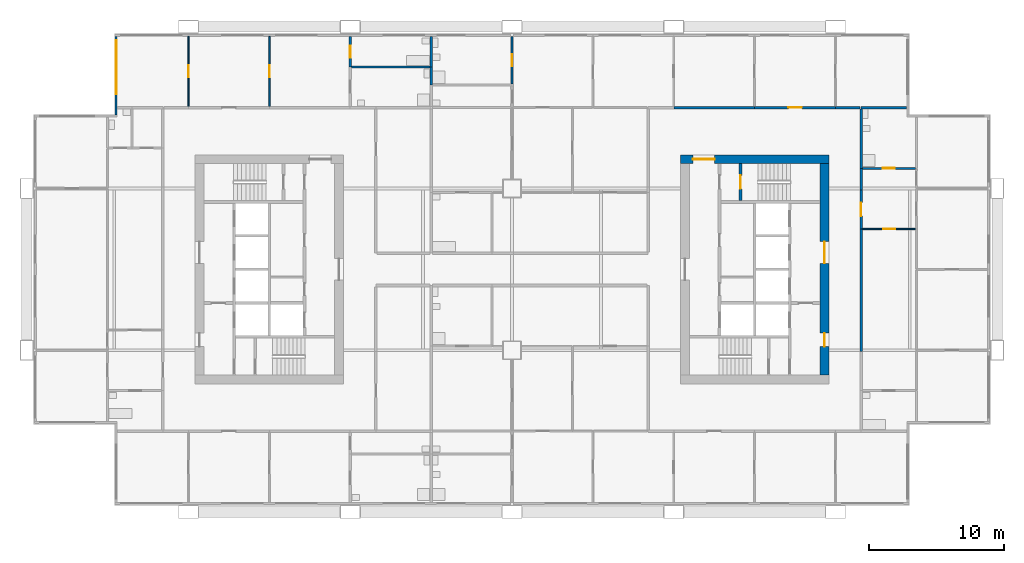
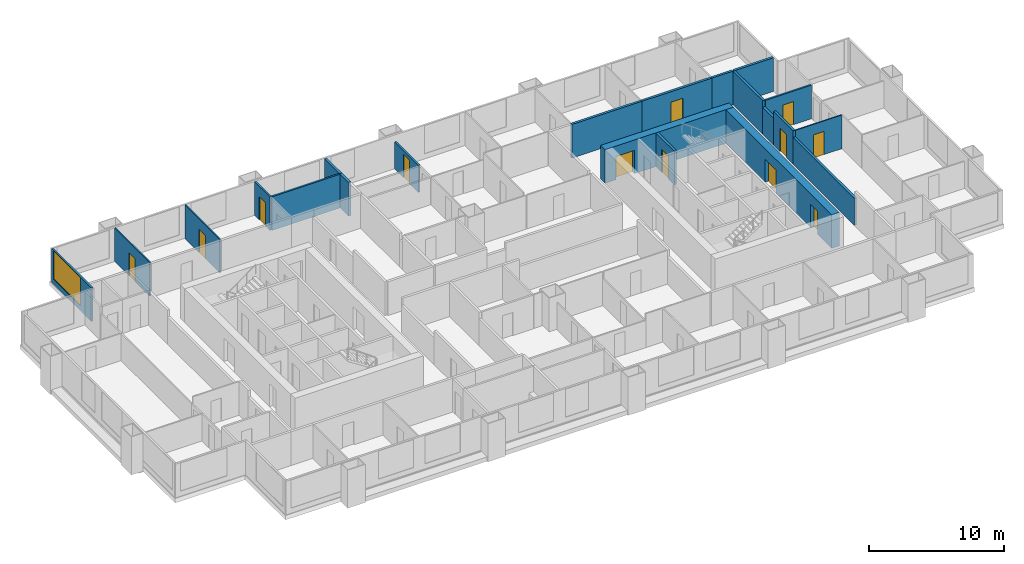
# One storey, part 7 of 11: 21 walls, 12 doors, 1 window, 13 openings.
"""IFC4 building model written with IfcOpenShell, lengths in metres."""

from ifc_helpers import new_model, si_unit, direction, frame, frame_2d, origin, place, context, subcontext, project, spatial, rectangle, extrude, material, layer, layer_set, type_object, element, fill, save


model = new_model("IFC4")

# Units and contexts
model_context = context("Model", 3, precision=1e-05, world=origin(), true_north=direction((0.0, 1.0)))
body_context = subcontext(model_context, "Body", "Model", "MODEL_VIEW")
ifc_project = project(units=[si_unit("LENGTHUNIT", "METRE"), si_unit("AREAUNIT", "SQUARE_METRE"), si_unit("VOLUMEUNIT", "CUBIC_METRE"), si_unit("PLANEANGLEUNIT", "RADIAN"), si_unit("MASSUNIT", "GRAM", prefix="KILO")], contexts=[model_context])

# Site, building, storey
site_placement = place(None, origin())
site = spatial("IfcSite", under=ifc_project, at=site_placement, CompositionType="ELEMENT")
building_placement = place(site_placement, origin())
building = spatial("IfcBuilding", under=site, at=building_placement, Name="Kitamizu Gate Tower and Museum", CompositionType="ELEMENT")
storey_placement = place(building_placement, frame((0.0, 0.0, 110.39990234375)))
storey = spatial("IfcBuildingStorey", under=building, at=storey_placement, Name="L28", CompositionType="ELEMENT", Elevation=110.39990234375)

# Wall, opening, door
ifc_material_1 = material(Name="Concrete Fc60", Category="concrete")
ifc_layer_1 = layer(ifc_material_1, 0.64990234375)
ifc_layer_set_1 = layer_set([ifc_layer_1], Name="Concrete Fc60")
wall_type_1 = type_object("IfcWallType", Name="Core wall 650", PredefinedType="SHEAR", material=ifc_layer_set_1)
wall_1_placement = place(storey_placement, frame((59.5, 38.175048828125, 0.0), z_axis=(0.0, 0.0, 1.0), x_axis=(-1.0, 0.0, 0.0)))
wall_1 = element("IfcWall", 1, at=wall_1_placement, inside=storey, type_object=wall_type_1, Name="Core wall EN", PredefinedType="SHEAR", context=body_context, shape_type="SweptSolid", body=[
    extrude(rectangle(XDim=11.0, YDim=0.64990234375, at=frame_2d((5.5, 0.0))), origin(), (0.0, 0.0, 1.0), 3.050048828125),
])
opening_1_placement = place(wall_1_placement, frame((8.47509765625, 0.0, 0.0)))
opening_1 = element("IfcOpeningElement", 2, at=opening_1_placement, cuts=wall_1, Name="Opening L28-071", PredefinedType="OPENING", context=body_context, shape_type="SweptSolid", body=[
    extrude(rectangle(XDim=1.60009765625, YDim=2.10009765625, at=frame_2d((0.800048828125, 1.050048828125))), frame((0.0, 0.3349609375, 0.0), z_axis=(0.0, -1.0, 0.0), x_axis=(1.0, 0.0, 0.0)), (0.0, 0.0, 1.0), 0.669921875),
])
ifc_material_2 = material(Name="Timber door set", Category="wood")
door_type_1 = type_object("IfcDoorType", Name="Entrance door 1600", OperationType="DOUBLE_DOOR_SINGLE_SWING", PredefinedType="DOOR", material=ifc_material_2)
door_1_placement = place(opening_1_placement, origin())
door_1 = element("IfcDoor", 3, at=door_1_placement, inside=storey, type_object=door_type_1, Name="Lobby door L28-071", OperationType="DOUBLE_DOOR_SINGLE_SWING", OverallHeight=2.10009765625, OverallWidth=1.60009765625, PredefinedType="DOOR", context=body_context, shape_type="SweptSolid", body=[
    extrude(rectangle(XDim=1.60009765625, YDim=2.10009765625, at=frame_2d((0.800048828125, 1.050048828125))), frame((0.0, 0.02490234375, 0.0), z_axis=(0.0, -1.0, 0.0), x_axis=(1.0, 0.0, 0.0)), (0.0, 0.0, 1.0), 0.050048828125),
])
fill(opening_1, door_1)

# Wall, openings, doors
wall_2_placement = place(storey_placement, frame((59.175048828125, 22.14990234375, 0.0), z_axis=(0.0, 0.0, 1.0), x_axis=(0.0, 1.0, 0.0)))
wall_2 = element("IfcWall", 4, at=wall_2_placement, inside=storey, type_object=wall_type_1, Name="Core wall EOUT", PredefinedType="SHEAR", context=body_context, shape_type="SweptSolid", body=[
    extrude(rectangle(XDim=15.7001953125, YDim=0.64990234375, at=frame_2d((7.85009765625, 0.0))), origin(), (0.0, 0.0, 1.0), 3.050048828125),
])
opening_2_placement = place(wall_2_placement, frame((8.300048828125, 0.0, 0.0)))
opening_2 = element("IfcOpeningElement", 5, at=opening_2_placement, cuts=wall_2, Name="Opening L28-069", PredefinedType="OPENING", context=body_context, shape_type="SweptSolid", body=[
    extrude(rectangle(XDim=1.60009765625, YDim=2.10009765625, at=frame_2d((0.800048828125, 1.050048828125))), frame((0.0, 0.3349609375, 0.0), z_axis=(0.0, -1.0, 0.0), x_axis=(1.0, 0.0, 0.0)), (0.0, 0.0, 1.0), 0.669921875),
])
opening_3_placement = place(wall_2_placement, frame((2.125, 0.0, 0.0)))
opening_3 = element("IfcOpeningElement", 6, at=opening_3_placement, cuts=wall_2, Name="Opening L28-070", PredefinedType="OPENING", context=body_context, shape_type="SweptSolid", body=[
    extrude(rectangle(XDim=1.0, YDim=2.10009765625, at=frame_2d((0.5, 1.050048828125))), frame((0.0, 0.3349609375, 0.0), z_axis=(0.0, -1.0, 0.0), x_axis=(1.0, 0.0, 0.0)), (0.0, 0.0, 1.0), 0.669921875),
])
door_2_placement = place(opening_2_placement, origin())
door_2 = element("IfcDoor", 7, at=door_2_placement, inside=storey, type_object=door_type_1, Name="Lobby door L28-069", OperationType="DOUBLE_DOOR_SINGLE_SWING", OverallHeight=2.10009765625, OverallWidth=1.60009765625, PredefinedType="DOOR", context=body_context, shape_type="SweptSolid", body=[
    extrude(rectangle(XDim=1.60009765625, YDim=2.10009765625, at=frame_2d((0.800048828125, 1.050048828125))), frame((0.0, 0.02490234375, 0.0), z_axis=(0.0, -1.0, 0.0), x_axis=(1.0, 0.0, 0.0)), (0.0, 0.0, 1.0), 0.050048828125),
])
fill(opening_2, door_2)
ifc_material_3 = material(Name="Hollow metal door set")
door_type_2 = type_object("IfcDoorType", Name="Fire door 1000", OperationType="NOTDEFINED", PredefinedType="DOOR", material=ifc_material_3)
door_3_placement = place(opening_3_placement, origin())
door_3 = element("IfcDoor", 8, at=door_3_placement, inside=storey, type_object=door_type_2, Name="Fire-fighting lobby door L28-070", OperationType="SINGLE_SWING_LEFT", OverallHeight=2.10009765625, OverallWidth=1.0, PredefinedType="DOOR", context=body_context, shape_type="SweptSolid", body=[
    extrude(rectangle(XDim=1.0, YDim=2.10009765625, at=frame_2d((0.5, 1.050048828125))), frame((0.0, 0.02490234375, 0.0), z_axis=(0.0, -1.0, 0.0), x_axis=(1.0, 0.0, 0.0)), (0.0, 0.0, 1.0), 0.050048828125),
])
fill(opening_3, door_3)

# Wall, opening, door
ifc_material_4 = material(Name="Gypsum board on galvanised stud")
ifc_layer_2 = layer(ifc_material_4, 0.10009765625)
ifc_layer_set_2 = layer_set([ifc_layer_2], Name="Gypsum board on galvanised stud")
wall_type_2 = type_object("IfcWallType", Name="Partition 100 NOT RATED", PredefinedType="PARTITIONING", material=ifc_layer_set_2)
wall_3_placement = place(storey_placement, frame((65.949951171875, 33.0, 0.0), z_axis=(0.0, 0.0, 1.0), x_axis=(-1.0, 0.0, 0.0)))
wall_3 = element("IfcWall", 9, at=wall_3_placement, inside=storey, type_object=wall_type_2, Name="Partition L28-080", PredefinedType="PARTITIONING", context=body_context, shape_type="SweptSolid", body=[
    extrude(rectangle(XDim=3.949951171875, YDim=0.10009765625, at=frame_2d((1.97509765625, 0.0))), origin(), (0.0, 0.0, 1.0), 3.050048828125),
])
opening_4_placement = place(wall_3_placement, frame((1.52490234375, 0.0, 0.0)))
opening_4 = element("IfcOpeningElement", 10, at=opening_4_placement, cuts=wall_3, Name="Opening L28-029", PredefinedType="OPENING", context=body_context, shape_type="SweptSolid", body=[
    extrude(rectangle(XDim=0.89990234375, YDim=2.10009765625, at=frame_2d((0.449951171875, 1.050048828125))), frame((0.0, 0.06005859375, 0.0), z_axis=(0.0, -1.0, 0.0), x_axis=(1.0, 0.0, 0.0)), (0.0, 0.0, 1.0), 0.1201171875),
])
ifc_material_5 = material(Name="Timber door set", Category="wood")
door_type_3 = type_object("IfcDoorType", Name="Room door 900", OperationType="NOTDEFINED", PredefinedType="DOOR", material=ifc_material_5)
door_4_placement = place(opening_4_placement, frame((0.89990234375, 0.0, 0.0), x_axis=(-1.0, 0.0, 0.0)))
door_4 = element("IfcDoor", 11, at=door_4_placement, inside=storey, type_object=door_type_3, Name="Door L28-029", OperationType="SINGLE_SWING_LEFT", OverallHeight=2.10009765625, OverallWidth=0.89990234375, PredefinedType="DOOR", context=body_context, shape_type="SweptSolid", body=[
    extrude(rectangle(XDim=0.89990234375, YDim=2.10009765625, at=frame_2d((0.449951171875, 1.050048828125))), frame((0.0, 0.02490234375, 0.0), z_axis=(0.0, -1.0, 0.0), x_axis=(1.0, 0.0, 0.0)), (0.0, 0.0, 1.0), 0.050048828125),
])
fill(opening_4, door_4)

wall_4_placement = place(storey_placement, frame((12.0, 42.10009765625, 0.0), z_axis=(0.0, 0.0, 1.0), x_axis=(0.0, 1.0, 0.0)))
wall_4 = element("IfcWall", 12, at=wall_4_placement, inside=storey, type_object=wall_type_2, Name="Partition L28-088", PredefinedType="PARTITIONING", context=body_context, shape_type="SweptSolid", body=[
    extrude(rectangle(XDim=5.179931640625, YDim=0.10009765625, at=frame_2d((2.58984375, 0.0))), origin(), (0.0, 0.0, 1.0), 3.050048828125),
])
opening_5_placement = place(wall_4_placement, frame((2.139892578125, 0.0, 0.0)))
opening_5 = element("IfcOpeningElement", 13, at=opening_5_placement, cuts=wall_4, Name="Opening L28-035", PredefinedType="OPENING", context=body_context, shape_type="SweptSolid", body=[
    extrude(rectangle(XDim=0.89990234375, YDim=2.10009765625, at=frame_2d((0.449951171875, 1.050048828125))), frame((0.0, 0.06005859375, 0.0), z_axis=(0.0, -1.0, 0.0), x_axis=(1.0, 0.0, 0.0)), (0.0, 0.0, 1.0), 0.1201171875),
])
door_5_placement = place(opening_5_placement, origin())
door_5 = element("IfcDoor", 14, at=door_5_placement, inside=storey, type_object=door_type_3, Name="Door L28-035", OperationType="SINGLE_SWING_RIGHT", OverallHeight=2.10009765625, OverallWidth=0.89990234375, PredefinedType="DOOR", context=body_context, shape_type="SweptSolid", body=[
    extrude(rectangle(XDim=0.89990234375, YDim=2.10009765625, at=frame_2d((0.449951171875, 1.050048828125))), frame((0.0, 0.02490234375, 0.0), z_axis=(0.0, -1.0, 0.0), x_axis=(1.0, 0.0, 0.0)), (0.0, 0.0, 1.0), 0.050048828125),
])
fill(opening_5, door_5)

wall_5_placement = place(storey_placement, frame((18.0, 42.10009765625, 0.0), z_axis=(0.0, 0.0, 1.0), x_axis=(0.0, 1.0, 0.0)))
wall_5 = element("IfcWall", 15, at=wall_5_placement, inside=storey, type_object=wall_type_2, Name="Partition L28-090", PredefinedType="PARTITIONING", context=body_context, shape_type="SweptSolid", body=[
    extrude(rectangle(XDim=5.179931640625, YDim=0.10009765625, at=frame_2d((2.58984375, 0.0))), origin(), (0.0, 0.0, 1.0), 3.050048828125),
])
opening_6_placement = place(wall_5_placement, frame((2.139892578125, 0.0, 0.0)))
opening_6 = element("IfcOpeningElement", 16, at=opening_6_placement, cuts=wall_5, Name="Opening L28-036", PredefinedType="OPENING", context=body_context, shape_type="SweptSolid", body=[
    extrude(rectangle(XDim=0.89990234375, YDim=2.10009765625, at=frame_2d((0.449951171875, 1.050048828125))), frame((0.0, 0.06005859375, 0.0), z_axis=(0.0, -1.0, 0.0), x_axis=(1.0, 0.0, 0.0)), (0.0, 0.0, 1.0), 0.1201171875),
])
door_6_placement = place(opening_6_placement, frame((0.89990234375, 0.0, 0.0), x_axis=(-1.0, 0.0, 0.0)))
door_6 = element("IfcDoor", 17, at=door_6_placement, inside=storey, type_object=door_type_3, Name="Door L28-036", OperationType="SINGLE_SWING_RIGHT", OverallHeight=2.10009765625, OverallWidth=0.89990234375, PredefinedType="DOOR", context=body_context, shape_type="SweptSolid", body=[
    extrude(rectangle(XDim=0.89990234375, YDim=2.10009765625, at=frame_2d((0.449951171875, 1.050048828125))), frame((0.0, 0.02490234375, 0.0), z_axis=(0.0, -1.0, 0.0), x_axis=(1.0, 0.0, 0.0)), (0.0, 0.0, 1.0), 0.050048828125),
])
fill(opening_6, door_6)

ifc_material_6 = material(Name="Gypsum board on galvanised stud")
ifc_layer_3 = layer(ifc_material_6, 0.14990234375)
ifc_layer_set_3 = layer_set([ifc_layer_3], Name="Gypsum board on galvanised stud")
wall_type_3 = type_object("IfcWallType", Name="Partition 150", PredefinedType="PARTITIONING", material=ifc_layer_set_3)
wall_6_placement = place(storey_placement, frame((65.925048828125, 37.5, 0.0), z_axis=(0.0, 0.0, 1.0), x_axis=(-1.0, 0.0, 0.0)))
wall_6 = element("IfcWall", 18, at=wall_6_placement, inside=storey, type_object=wall_type_3, Name="Partition L28-083", PredefinedType="PARTITIONING", context=body_context, shape_type="SweptSolid", body=[
    extrude(rectangle(XDim=3.925048828125, YDim=0.14990234375, at=frame_2d((1.96240234375, 0.0))), origin(), (0.0, 0.0, 1.0), 3.050048828125),
])
opening_7_placement = place(wall_6_placement, frame((1.512451171875, 0.0, 0.0)))
opening_7 = element("IfcOpeningElement", 19, at=opening_7_placement, cuts=wall_6, Name="Opening L28-031", PredefinedType="OPENING", context=body_context, shape_type="SweptSolid", body=[
    extrude(rectangle(XDim=0.89990234375, YDim=2.10009765625, at=frame_2d((0.449951171875, 1.050048828125))), frame((0.0, 0.0849609375, 0.0), z_axis=(0.0, -1.0, 0.0), x_axis=(1.0, 0.0, 0.0)), (0.0, 0.0, 1.0), 0.169921875),
])
ifc_material_7 = material(Name="Timber door set", Category="wood")
door_type_4 = type_object("IfcDoorType", Name="Bathroom door 900", OperationType="NOTDEFINED", PredefinedType="DOOR", material=ifc_material_7)
door_7_placement = place(opening_7_placement, frame((0.89990234375, 0.0, 0.0), x_axis=(-1.0, 0.0, 0.0)))
door_7 = element("IfcDoor", 20, at=door_7_placement, inside=storey, type_object=door_type_4, Name="Bathroom door L28-031", OperationType="SINGLE_SWING_LEFT", OverallHeight=2.10009765625, OverallWidth=0.89990234375, PredefinedType="DOOR", context=body_context, shape_type="SweptSolid", body=[
    extrude(rectangle(XDim=0.89990234375, YDim=2.10009765625, at=frame_2d((0.449951171875, 1.050048828125))), frame((0.0, 0.02490234375, 0.0), z_axis=(0.0, -1.0, 0.0), x_axis=(1.0, 0.0, 0.0)), (0.0, 0.0, 1.0), 0.050048828125),
])
fill(opening_7, door_7)

wall_7_placement = place(storey_placement, frame((24.0, 45.0, 0.0), z_axis=(0.0, 0.0, 1.0), x_axis=(0.0, 1.0, 0.0)))
wall_7 = element("IfcWall", 21, at=wall_7_placement, inside=storey, type_object=wall_type_3, Name="Partition L28-093", PredefinedType="PARTITIONING", context=body_context, shape_type="SweptSolid", body=[
    extrude(rectangle(XDim=2.280029296875, YDim=0.14990234375, at=frame_2d((1.14013671875, 0.0))), origin(), (0.0, 0.0, 1.0), 3.050048828125),
])
opening_8_placement = place(wall_7_placement, frame((0.68994140625, 0.0, 0.0)))
opening_8 = element("IfcOpeningElement", 22, at=opening_8_placement, cuts=wall_7, Name="Opening L28-038", PredefinedType="OPENING", context=body_context, shape_type="SweptSolid", body=[
    extrude(rectangle(XDim=0.89990234375, YDim=2.10009765625, at=frame_2d((0.449951171875, 1.050048828125))), frame((0.0, 0.0849609375, 0.0), z_axis=(0.0, -1.0, 0.0), x_axis=(1.0, 0.0, 0.0)), (0.0, 0.0, 1.0), 0.169921875),
])
door_8_placement = place(opening_8_placement, frame((0.89990234375, 0.0, 0.0), x_axis=(-1.0, 0.0, 0.0)))
door_8 = element("IfcDoor", 23, at=door_8_placement, inside=storey, type_object=door_type_4, Name="Bathroom door L28-038", OperationType="SINGLE_SWING_RIGHT", OverallHeight=2.10009765625, OverallWidth=0.89990234375, PredefinedType="DOOR", context=body_context, shape_type="SweptSolid", body=[
    extrude(rectangle(XDim=0.89990234375, YDim=2.10009765625, at=frame_2d((0.449951171875, 1.050048828125))), frame((0.0, 0.02490234375, 0.0), z_axis=(0.0, -1.0, 0.0), x_axis=(1.0, 0.0, 0.0)), (0.0, 0.0, 1.0), 0.050048828125),
])
fill(opening_8, door_8)

# Wall
wall_8_placement = place(storey_placement, frame((29.89990234375, 45.0, 0.0), z_axis=(0.0, 0.0, 1.0), x_axis=(-1.0, 0.0, 0.0)))
element("IfcWall", 24, at=wall_8_placement, inside=storey, type_object=wall_type_3, Name="Partition L28-095", PredefinedType="PARTITIONING", context=body_context, shape_type="SweptSolid", body=[
    extrude(rectangle(XDim=5.824951171875, YDim=0.14990234375, at=frame_2d((2.91259765625, 0.0))), origin(), (0.0, 0.0, 1.0), 3.050048828125),
])

# Wall, opening, door
wall_9_placement = place(storey_placement, frame((36.0, 43.7548828125, 0.0), z_axis=(0.0, 0.0, 1.0), x_axis=(0.0, 1.0, 0.0)))
wall_9 = element("IfcWall", 25, at=wall_9_placement, inside=storey, type_object=wall_type_3, Name="Partition L28-108", PredefinedType="PARTITIONING", context=body_context, shape_type="SweptSolid", body=[
    extrude(rectangle(XDim=3.525146484375, YDim=0.14990234375, at=frame_2d((1.7626953125, 0.0))), origin(), (0.0, 0.0, 1.0), 2.4501953125),
])
opening_9_placement = place(wall_9_placement, frame((1.3125, 0.0, 0.0)))
opening_9 = element("IfcOpeningElement", 26, at=opening_9_placement, cuts=wall_9, Name="Opening L28-047", PredefinedType="OPENING", context=body_context, shape_type="SweptSolid", body=[
    extrude(rectangle(XDim=0.89990234375, YDim=2.10009765625, at=frame_2d((0.449951171875, 1.050048828125))), frame((0.0, 0.0849609375, 0.0), z_axis=(0.0, -1.0, 0.0), x_axis=(1.0, 0.0, 0.0)), (0.0, 0.0, 1.0), 0.169921875),
])
door_9_placement = place(opening_9_placement, origin())
door_9 = element("IfcDoor", 27, at=door_9_placement, inside=storey, type_object=door_type_4, Name="Bathroom door L28-047", OperationType="SINGLE_SWING_RIGHT", OverallHeight=2.10009765625, OverallWidth=0.89990234375, PredefinedType="DOOR", context=body_context, shape_type="SweptSolid", body=[
    extrude(rectangle(XDim=0.89990234375, YDim=2.10009765625, at=frame_2d((0.449951171875, 1.050048828125))), frame((0.0, 0.02490234375, 0.0), z_axis=(0.0, -1.0, 0.0), x_axis=(1.0, 0.0, 0.0)), (0.0, 0.0, 1.0), 0.050048828125),
])
fill(opening_9, door_9)

# Walls
ifc_material_8 = material(Name="Gypsum board on galvanised stud")
ifc_layer_4 = layer(ifc_material_8, 0.199951171875)
ifc_layer_set_4 = layer_set([ifc_layer_4], Name="Gypsum board on galvanised stud")
wall_type_4 = type_object("IfcWallType", Name="Partition 200", PredefinedType="PARTITIONING", material=ifc_layer_set_4)
wall_10_placement = place(storey_placement, frame((61.89990234375, 33.0, 0.0), z_axis=(0.0, 0.0, 1.0), x_axis=(0.0, -1.0, 0.0)))
element("IfcWall", 28, at=wall_10_placement, inside=storey, type_object=wall_type_4, Name="Partition L28-081", PredefinedType="PARTITIONING", context=body_context, shape_type="SweptSolid", body=[
    extrude(rectangle(XDim=9.10009765625, YDim=0.199951171875, at=frame_2d((4.550048828125, 0.0))), origin(), (0.0, 0.0, 1.0), 2.4501953125),
])
wall_11_placement = place(storey_placement, frame((61.89990234375, 37.5, 0.0), z_axis=(0.0, 0.0, 1.0), x_axis=(0.0, -1.0, 0.0)))
element("IfcWall", 29, at=wall_11_placement, inside=storey, type_object=wall_type_4, Name="Partition L28-084", PredefinedType="PARTITIONING", context=body_context, shape_type="SweptSolid", body=[
    extrude(rectangle(XDim=1.60009765625, YDim=0.199951171875, at=frame_2d((0.800048828125, 0.0))), origin(), (0.0, 0.0, 1.0), 2.4501953125),
])

# Wall, opening, door
wall_12_placement = place(storey_placement, frame((61.89990234375, 35.89990234375, 0.0), z_axis=(0.0, 0.0, 1.0), x_axis=(0.0, -1.0, 0.0)))
wall_12 = element("IfcWall", 30, at=wall_12_placement, inside=storey, type_object=wall_type_4, Name="Partition L28-085", PredefinedType="PARTITIONING", context=body_context, shape_type="SweptSolid", body=[
    extrude(rectangle(XDim=2.89990234375, YDim=0.199951171875, at=frame_2d((1.449951171875, 0.0))), origin(), (0.0, 0.0, 1.0), 3.050048828125),
])
opening_10_placement = place(wall_12_placement, frame((0.949951171875, 0.0, 0.0)))
opening_10 = element("IfcOpeningElement", 31, at=opening_10_placement, cuts=wall_12, Name="Opening L28-026", PredefinedType="OPENING", context=body_context, shape_type="SweptSolid", body=[
    extrude(rectangle(XDim=1.0, YDim=2.10009765625, at=frame_2d((0.5, 1.050048828125))), frame((0.0, 0.10986328125, 0.0), z_axis=(0.0, -1.0, 0.0), x_axis=(1.0, 0.0, 0.0)), (0.0, 0.0, 1.0), 0.219970703125),
])
ifc_material_9 = material(Name="Timber door set", Category="wood")
door_type_5 = type_object("IfcDoorType", Name="Flat entrance door 1000", OperationType="NOTDEFINED", PredefinedType="DOOR", material=ifc_material_9)
door_10_placement = place(opening_10_placement, origin())
door_10 = element("IfcDoor", 32, at=door_10_placement, inside=storey, type_object=door_type_5, Name="Flat entrance door L28-026", OperationType="SINGLE_SWING_LEFT", OverallHeight=2.10009765625, OverallWidth=1.0, PredefinedType="DOOR", context=body_context, shape_type="SweptSolid", body=[
    extrude(rectangle(XDim=1.0, YDim=2.10009765625, at=frame_2d((0.5, 1.050048828125))), frame((0.0, 0.02490234375, 0.0), z_axis=(0.0, -1.0, 0.0), x_axis=(1.0, 0.0, 0.0)), (0.0, 0.0, 1.0), 0.050048828125),
])
fill(opening_10, door_10)

# Walls
wall_13_placement = place(storey_placement, frame((65.280029296875, 42.0, 0.0), z_axis=(0.0, 0.0, 1.0), x_axis=(-1.0, 0.0, 0.0)))
element("IfcWall", 33, at=wall_13_placement, inside=storey, type_object=wall_type_4, Name="Partition L28-086", PredefinedType="PARTITIONING", context=body_context, shape_type="SweptSolid", body=[
    extrude(rectangle(XDim=3.380126953125, YDim=0.199951171875, at=frame_2d((1.68994140625, 0.0))), origin(), (0.0, 0.0, 1.0), 3.050048828125),
])
wall_14_placement = place(storey_placement, frame((61.89990234375, 41.89990234375, 0.0), z_axis=(0.0, 0.0, 1.0), x_axis=(0.0, -1.0, 0.0)))
element("IfcWall", 34, at=wall_14_placement, inside=storey, type_object=wall_type_4, Name="Partition L28-087", PredefinedType="PARTITIONING", context=body_context, shape_type="SweptSolid", body=[
    extrude(rectangle(XDim=4.39990234375, YDim=0.199951171875, at=frame_2d((2.199951171875, 0.0))), origin(), (0.0, 0.0, 1.0), 3.050048828125),
])
wall_15_placement = place(storey_placement, frame((30.0, 43.679931640625, 0.0), z_axis=(0.0, 0.0, 1.0), x_axis=(0.0, 1.0, 0.0)))
element("IfcWall", 35, at=wall_15_placement, inside=storey, type_object=wall_type_4, Name="Partition L28-097", PredefinedType="PARTITIONING", context=body_context, shape_type="SweptSolid", body=[
    extrude(rectangle(XDim=1.320068359375, YDim=0.199951171875, at=frame_2d((0.66015625, 0.0))), origin(), (0.0, 0.0, 1.0), 3.050048828125),
])
wall_16_placement = place(storey_placement, frame((30.0, 45.0, 0.0), z_axis=(0.0, 0.0, 1.0), x_axis=(0.0, 1.0, 0.0)))
element("IfcWall", 36, at=wall_16_placement, inside=storey, type_object=wall_type_4, Name="Partition L28-100", PredefinedType="PARTITIONING", context=body_context, shape_type="SweptSolid", body=[
    extrude(rectangle(XDim=2.280029296875, YDim=0.199951171875, at=frame_2d((1.14013671875, 0.0))), origin(), (0.0, 0.0, 1.0), 3.050048828125),
])
wall_17_placement = place(storey_placement, frame((48.0, 42.0, 0.0), z_axis=(0.0, 0.0, 1.0), x_axis=(1.0, 0.0, 0.0)))
element("IfcWall", 37, at=wall_17_placement, inside=storey, type_object=wall_type_4, Name="Partition L28-118", PredefinedType="PARTITIONING", context=body_context, shape_type="SweptSolid", body=[
    extrude(rectangle(XDim=6.0, YDim=0.199951171875, at=frame_2d((3.0, 0.0))), origin(), (0.0, 0.0, 1.0), 3.050048828125),
])

# Wall, opening, door
wall_18_placement = place(storey_placement, frame((54.0, 42.0, 0.0), z_axis=(0.0, 0.0, 1.0), x_axis=(1.0, 0.0, 0.0)))
wall_18 = element("IfcWall", 38, at=wall_18_placement, inside=storey, type_object=wall_type_4, Name="Partition L28-120", PredefinedType="PARTITIONING", context=body_context, shape_type="SweptSolid", body=[
    extrude(rectangle(XDim=6.0, YDim=0.199951171875, at=frame_2d((3.0, 0.0))), origin(), (0.0, 0.0, 1.0), 3.050048828125),
])
opening_11_placement = place(wall_18_placement, frame((2.5, 0.0, 0.0)))
opening_11 = element("IfcOpeningElement", 39, at=opening_11_placement, cuts=wall_18, Name="Opening L28-039", PredefinedType="OPENING", context=body_context, shape_type="SweptSolid", body=[
    extrude(rectangle(XDim=1.0, YDim=2.10009765625, at=frame_2d((0.5, 1.050048828125))), frame((0.0, 0.10986328125, 0.0), z_axis=(0.0, -1.0, 0.0), x_axis=(1.0, 0.0, 0.0)), (0.0, 0.0, 1.0), 0.219970703125),
])
door_11_placement = place(opening_11_placement, origin())
door_11 = element("IfcDoor", 40, at=door_11_placement, inside=storey, type_object=door_type_5, Name="Flat entrance door L28-039", OperationType="SINGLE_SWING_RIGHT", OverallHeight=2.10009765625, OverallWidth=1.0, PredefinedType="DOOR", context=body_context, shape_type="SweptSolid", body=[
    extrude(rectangle(XDim=1.0, YDim=2.10009765625, at=frame_2d((0.5, 1.050048828125))), frame((0.0, 0.02490234375, 0.0), z_axis=(0.0, -1.0, 0.0), x_axis=(1.0, 0.0, 0.0)), (0.0, 0.0, 1.0), 0.050048828125),
])
fill(opening_11, door_11)

# Wall
wall_19_placement = place(storey_placement, frame((60.0, 42.0, 0.0), z_axis=(0.0, 0.0, 1.0), x_axis=(1.0, 0.0, 0.0)))
element("IfcWall", 41, at=wall_19_placement, inside=storey, type_object=wall_type_4, Name="Partition L28-121", PredefinedType="PARTITIONING", context=body_context, shape_type="SweptSolid", body=[
    extrude(rectangle(XDim=1.800048828125, YDim=0.199951171875, at=frame_2d((0.89990234375, 0.0))), origin(), (0.0, 0.0, 1.0), 3.050048828125),
])

# Wall, opening, door
ifc_material_10 = material(Name="Concrete Fc42", Category="concrete")
ifc_layer_5 = layer(ifc_material_10, 0.199951171875)
ifc_layer_set_5 = layer_set([ifc_layer_5], Name="Concrete Fc42")
wall_type_5 = type_object("IfcWallType", Name="Shaft wall 200", PredefinedType="SOLIDWALL", material=ifc_layer_set_5)
wall_20_placement = place(storey_placement, frame((52.949951171875, 35.10009765625, 0.0), z_axis=(0.0, 0.0, 1.0), x_axis=(0.0, 1.0, 0.0)))
wall_20 = element("IfcWall", 42, at=wall_20_placement, inside=storey, type_object=wall_type_5, Name="Shaft wall ENZ", PredefinedType="SOLIDWALL", context=body_context, shape_type="SweptSolid", body=[
    extrude(rectangle(XDim=2.75, YDim=0.199951171875, at=frame_2d((1.375, 0.0))), origin(), (0.0, 0.0, 1.0), 3.050048828125),
])
opening_12_placement = place(wall_20_placement, frame((0.875, 0.0, 0.0)))
opening_12 = element("IfcOpeningElement", 43, at=opening_12_placement, cuts=wall_20, Name="Opening L28-067", PredefinedType="OPENING", context=body_context, shape_type="SweptSolid", body=[
    extrude(rectangle(XDim=1.0, YDim=2.10009765625, at=frame_2d((0.5, 1.050048828125))), frame((0.0, 0.10986328125, 0.0), z_axis=(0.0, -1.0, 0.0), x_axis=(1.0, 0.0, 0.0)), (0.0, 0.0, 1.0), 0.219970703125),
])
door_12_placement = place(opening_12_placement, frame((1.0, 0.0, 0.0), x_axis=(-1.0, 0.0, 0.0)))
door_12 = element("IfcDoor", 44, at=door_12_placement, inside=storey, type_object=door_type_2, Name="Stair door L28-067", OperationType="SINGLE_SWING_RIGHT", OverallHeight=2.10009765625, OverallWidth=1.0, PredefinedType="DOOR", context=body_context, shape_type="SweptSolid", body=[
    extrude(rectangle(XDim=1.0, YDim=2.10009765625, at=frame_2d((0.5, 1.050048828125))), frame((0.0, 0.02490234375, 0.0), z_axis=(0.0, -1.0, 0.0), x_axis=(1.0, 0.0, 0.0)), (0.0, 0.0, 1.0), 0.050048828125),
])
fill(opening_12, door_12)

# Wall, opening, window
ifc_material_11 = material(Name="Bronze anodised aluminium frame with insulated spandrel and tinted glass", Category="aluminium")
ifc_layer_6 = layer(ifc_material_11, 0.14990234375)
ifc_layer_set_6 = layer_set([ifc_layer_6], Name="Bronze anodised aluminium frame with insulated spandrel and tinted glass")
wall_type_6 = type_object("IfcWallType", Name="WINDOW WALL 150 BRONZE FRAME EI 30", PredefinedType="ELEMENTEDWALL", material=ifc_layer_set_6)
wall_21_placement = place(storey_placement, frame((6.635009765625, 41.43994140625, 0.0), z_axis=(0.0, 0.0, 1.0), x_axis=(0.0, 1.0, 0.0)))
wall_21 = element("IfcWall", 45, at=wall_21_placement, inside=storey, type_object=wall_type_6, Name="Window wall west L28", PredefinedType="ELEMENTEDWALL", context=body_context, shape_type="SweptSolid", body=[
    extrude(rectangle(XDim=5.85009765625, YDim=0.14990234375, at=frame_2d((2.925048828125, 0.0))), origin(), (0.0, 0.0, 1.0), 3.050048828125),
])
opening_13_placement = place(wall_21_placement, frame((1.56005859375, 0.0, 0.449951171875)))
opening_13 = element("IfcOpeningElement", 46, at=opening_13_placement, cuts=wall_21, Name="Opening W16", PredefinedType="OPENING", context=body_context, shape_type="SweptSolid", body=[
    extrude(rectangle(XDim=4.0, YDim=2.550048828125, at=frame_2d((2.0, 1.27490234375))), frame((0.0, 0.0849609375, 0.0), z_axis=(0.0, -1.0, 0.0), x_axis=(1.0, 0.0, 0.0)), (0.0, 0.0, 1.0), 0.169921875),
])
ifc_material_12 = material(Name="Bronze anodised aluminium frame, tinted triple glazing", Category="aluminium")
window_type = type_object("IfcWindowType", Name="WINDOW 4000 x 2550 SILL 450", PartitioningType="SINGLE_PANEL", PredefinedType="WINDOW", material=ifc_material_12)
window_placement = place(opening_13_placement, origin())
window = element("IfcWindow", 47, at=window_placement, inside=storey, type_object=window_type, Name="Window W16 L28", OverallHeight=2.550048828125, OverallWidth=4.0, PartitioningType="SINGLE_PANEL", PredefinedType="WINDOW", context=body_context, shape_type="SweptSolid", body=[
    extrude(rectangle(XDim=4.0, YDim=2.550048828125, at=frame_2d((2.0, 1.27490234375))), frame((0.0, 0.030029296875, 0.0), z_axis=(0.0, -1.0, 0.0), x_axis=(1.0, 0.0, 0.0)), (0.0, 0.0, 1.0), 0.06005859375),
])
fill(opening_13, window)

save(model, "model.ifc")
